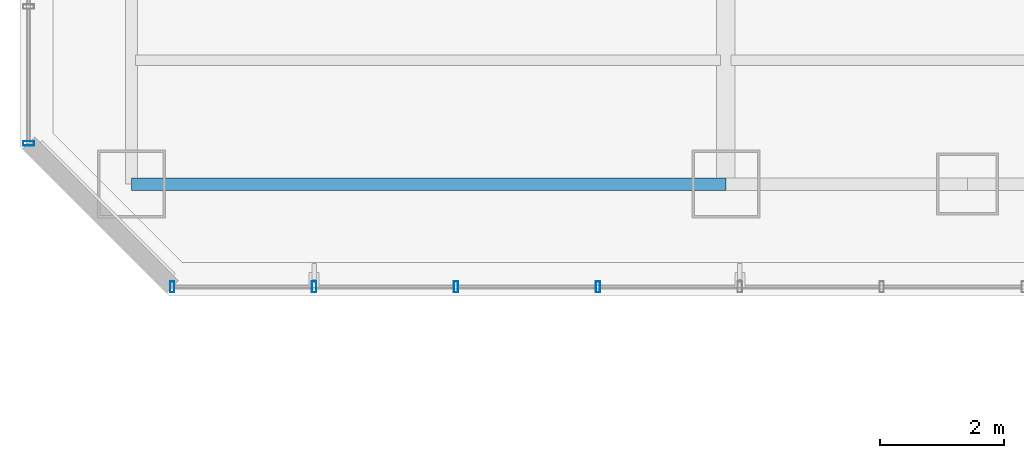
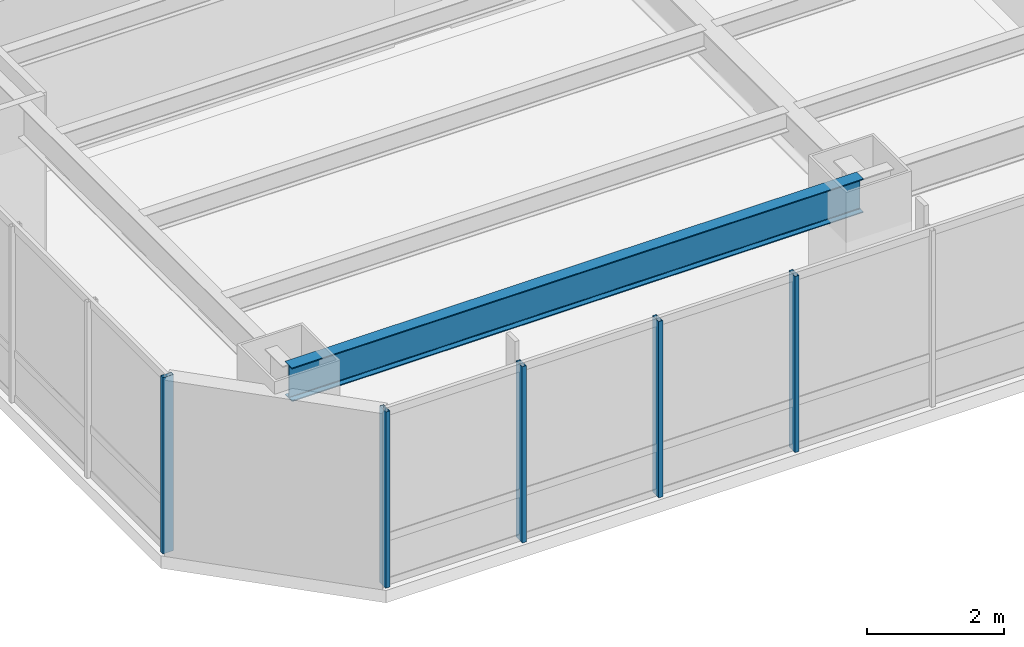
# One storey, part 2 of 33: 5 members, 1 beam, 2 elements without a shape of their own.
"""IFC4 building model written with IfcOpenShell, lengths in metres."""

from ifc_helpers import new_model, si_unit, direction, frame, origin, origin_2d, place, context, subcontext, project, spatial, hollow_rectangle, i_section, extrude, material, layer, layer_set, material_profile, profile_set, type_object, element, aggregate, save


model = new_model("IFC4")

# Units and contexts
model_context = context("Model", 3, precision=1e-05, world=origin(), true_north=direction((0.0, 1.0)))
body_context = subcontext(model_context, "Body", "Model", "MODEL_VIEW")
ifc_project = project(units=[si_unit("LENGTHUNIT", "METRE"), si_unit("AREAUNIT", "SQUARE_METRE"), si_unit("VOLUMEUNIT", "CUBIC_METRE"), si_unit("PLANEANGLEUNIT", "RADIAN"), si_unit("MASSUNIT", "GRAM", prefix="KILO")], contexts=[model_context])

# Site, building, storey
site_placement = place(None, origin())
site = spatial("IfcSite", under=ifc_project, at=site_placement, CompositionType="ELEMENT")
building_placement = place(site_placement, origin())
building = spatial("IfcBuilding", under=site, at=building_placement, Name="Hatsunagi Terrace Concourse", CompositionType="ELEMENT")
storey_placement = place(building_placement, frame((0.0, 0.0, 56.699951171875)))
storey = spatial("IfcBuildingStorey", under=building, at=storey_placement, Name="L14", CompositionType="ELEMENT", Elevation=56.699951171875)

# Curtain wall, members
ifc_material_1 = material(Name="Anodised Aluminium Alloy 6063-T5", Category="aluminium")
ifc_layer = layer(ifc_material_1, 0.199951171875)
ifc_layer_set = layer_set([ifc_layer], Name="HotelFacade_CW02")
curtain_wall_type = type_object("IfcCurtainWallType", Name="HotelFacade_CW02", PredefinedType="NOTDEFINED", material=ifc_layer_set)
curtain_wall_1_placement = place(storey_placement, origin())
curtain_wall_1 = element("IfcCurtainWall", 1, at=curtain_wall_1_placement, inside=storey, type_object=curtain_wall_type, Name="Unitised Curtain Wall CW-02 CW-L14-07", PredefinedType="NOTDEFINED")
ifc_material_2 = material(Name="Anodised Aluminium Alloy 6063-T5", Category="aluminium")
ifc_material_profile_1 = material_profile(ifc_material_2, hollow_rectangle(XDim=0.070068359375, YDim=0.179931640625, WallThickness=0.00390625, at=origin_2d()), Name="ALU-MUL-180x70x4")
ifc_profile_set_1 = profile_set([ifc_material_profile_1], Name="Anodised Aluminium Alloy 6063-T5")
member_type = type_object("IfcMemberType", Name="CurtainWallMullion_180x70", PredefinedType="MULLION", material=ifc_profile_set_1)
member_1_placement = place(storey_placement, frame((9.3330078125, 23.5400390625, 0.0), z_axis=(0.0, 0.0, 1.0), x_axis=(-1.0, 0.0, 0.0)))
member_1 = element("IfcMember", 2, at=member_1_placement, type_object=member_type, Name="Curtain Wall Mullion MUL-02", PredefinedType="MULLION", context=body_context, shape_type="SweptSolid", body=[
    extrude(hollow_rectangle(XDim=0.070068359375, YDim=0.179931640625, WallThickness=0.00390625, at=origin_2d()), origin(), (0.0, 0.0, 1.0), 3.130126953125),
])
member_2_placement = place(storey_placement, frame((7.041015625, 23.5400390625, 0.0), z_axis=(0.0, 0.0, 1.0), x_axis=(-1.0, 0.0, 0.0)))
member_2 = element("IfcMember", 3, at=member_2_placement, type_object=member_type, Name="Curtain Wall Mullion MUL-02", PredefinedType="MULLION", context=body_context, shape_type="SweptSolid", body=[
    extrude(hollow_rectangle(XDim=0.070068359375, YDim=0.179931640625, WallThickness=0.00390625, at=origin_2d()), origin(), (0.0, 0.0, 1.0), 3.130126953125),
])
member_3_placement = place(storey_placement, frame((4.75, 23.5400390625, 0.0), z_axis=(0.0, 0.0, 1.0), x_axis=(-1.0, 0.0, 0.0)))
member_3 = element("IfcMember", 4, at=member_3_placement, type_object=member_type, Name="Curtain Wall Mullion MUL-02", PredefinedType="MULLION", context=body_context, shape_type="SweptSolid", body=[
    extrude(hollow_rectangle(XDim=0.070068359375, YDim=0.179931640625, WallThickness=0.00390625, at=origin_2d()), origin(), (0.0, 0.0, 1.0), 3.130126953125),
])
member_4_placement = place(storey_placement, frame((2.4580078125, 23.5400390625, 0.0), z_axis=(0.0, 0.0, 1.0), x_axis=(-1.0, 0.0, 0.0)))
member_4 = element("IfcMember", 5, at=member_4_placement, type_object=member_type, Name="Curtain Wall Mullion MUL-02", PredefinedType="MULLION", context=body_context, shape_type="SweptSolid", body=[
    extrude(hollow_rectangle(XDim=0.070068359375, YDim=0.179931640625, WallThickness=0.00390625, at=origin_2d()), origin(), (0.0, 0.0, 1.0), 3.130126953125),
])
aggregate(curtain_wall_1, [member_1, member_2, member_3, member_4])

# Curtain wall, member
curtain_wall_2_placement = place(storey_placement, origin())
curtain_wall_2 = element("IfcCurtainWall", 6, at=curtain_wall_2_placement, inside=storey, type_object=curtain_wall_type, Name="Unitised Curtain Wall CW-02 CW-L14-09", PredefinedType="NOTDEFINED")
member_5_placement = place(storey_placement, frame((0.139892578125, 25.85791015625, 0.0), z_axis=(0.0, 0.0, 1.0), x_axis=(0.0, 1.0, 0.0)))
member_5 = element("IfcMember", 7, at=member_5_placement, type_object=member_type, Name="Curtain Wall Mullion MUL-02", PredefinedType="MULLION", context=body_context, shape_type="SweptSolid", body=[
    extrude(hollow_rectangle(XDim=0.070068359375, YDim=0.179931640625, WallThickness=0.00390625, at=origin_2d()), origin(), (0.0, 0.0, 1.0), 3.130126953125),
])
aggregate(curtain_wall_2, [member_5])

# Beam
ifc_material_3 = material(Name="Steel SN490B", Category="steel")
ifc_material_profile_2 = material_profile(ifc_material_3, i_section(OverallWidth=0.199951171875, OverallDepth=0.60009765625, WebThickness=0.010986328125, FlangeThickness=0.01708984375, FilletRadius=0.01806640625, at=origin_2d()), Name="H-600x200x11x17")
ifc_profile_set_2 = profile_set([ifc_material_profile_2], Name="Steel SN490B")
beam_type = type_object("IfcBeamType", Name="PerimeterSpandrel_H_600x200", PredefinedType="SPANDREL", material=ifc_profile_set_2)
beam_placement = place(storey_placement, frame((1.800048828125, 25.199951171875, 2.830078125), z_axis=(1.0, 0.0, 0.0), x_axis=(0.0, 1.0, 0.0)))
element("IfcBeam", 8, at=beam_placement, inside=storey, type_object=beam_type, Name="Beam SP-01 BM-L14-WS-1", PredefinedType="SPANDREL", context=body_context, shape_type="SweptSolid", body=[
    extrude(i_section(OverallWidth=0.199951171875, OverallDepth=0.60009765625, WebThickness=0.010986328125, FlangeThickness=0.01708984375, FilletRadius=0.01806640625, at=origin_2d()), origin(), (0.0, 0.0, 1.0), 9.599853515625),
])

save(model, "model.ifc")
